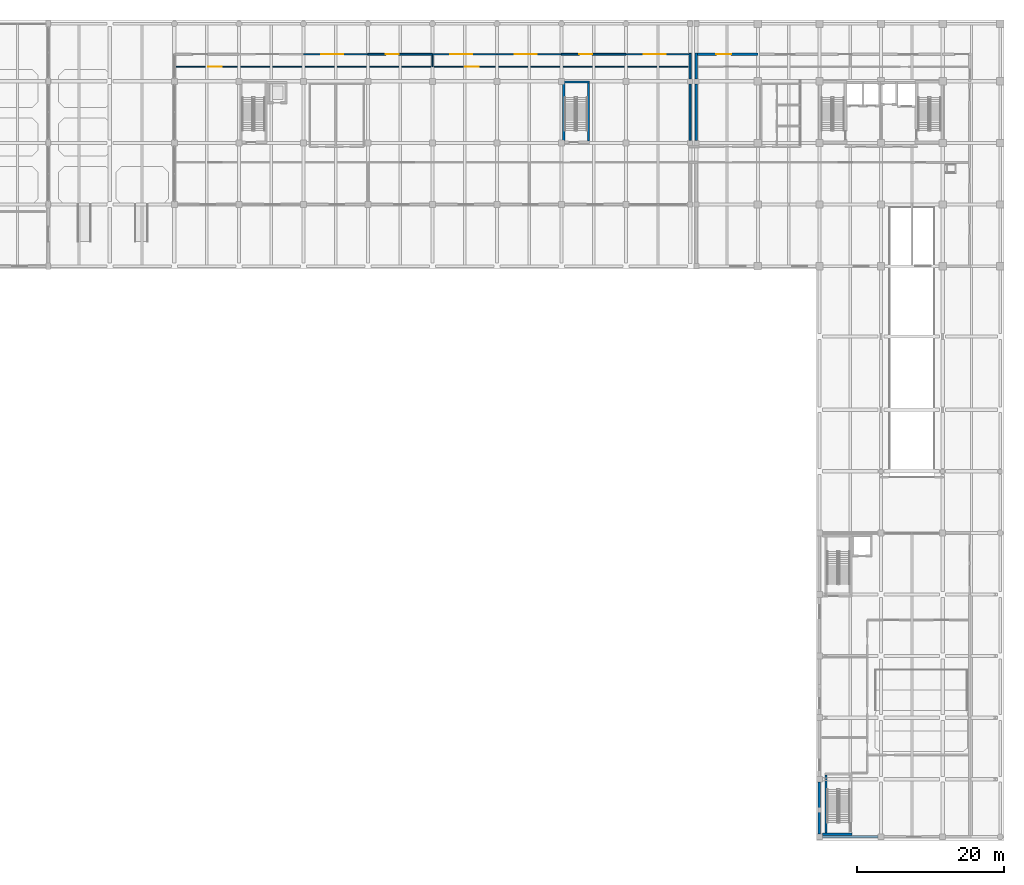
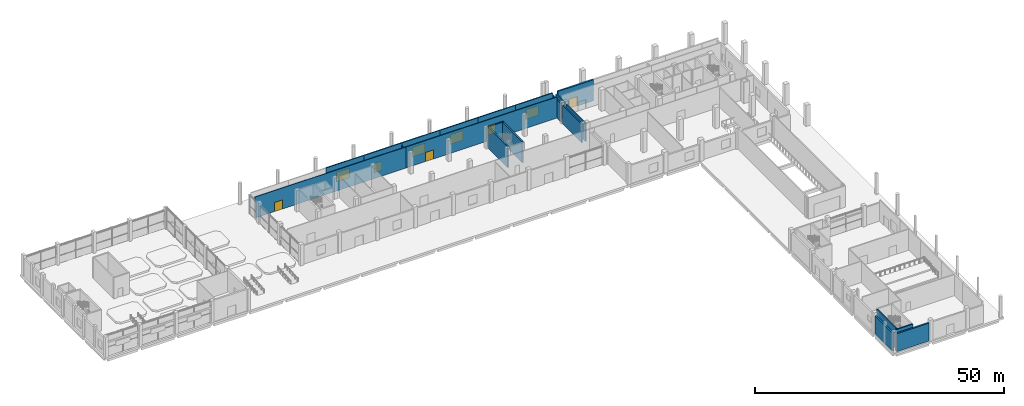
# One storey, part 22 of 34: 21 walls, 5 doors, 4 windows, 9 openings.
"""IFC4 building model written with IfcOpenShell, lengths in metres."""

from ifc_helpers import new_model, si_unit, direction, frame, frame_2d, origin, place, context, subcontext, project, spatial, rectangle, extrude, material, layer, layer_set, type_object, element, fill, save


model = new_model("IFC4")

# Units and contexts
model_context = context("Model", 3, precision=1e-05, world=origin(), true_north=direction((0.0, 1.0)))
body_context = subcontext(model_context, "Body", "Model", "MODEL_VIEW")
ifc_project = project(units=[si_unit("LENGTHUNIT", "METRE"), si_unit("AREAUNIT", "SQUARE_METRE"), si_unit("VOLUMEUNIT", "CUBIC_METRE"), si_unit("PLANEANGLEUNIT", "RADIAN"), si_unit("MASSUNIT", "GRAM", prefix="KILO")], contexts=[model_context])

# Site, building, storey
site_placement = place(None, origin())
site = spatial("IfcSite", under=ifc_project, at=site_placement, CompositionType="ELEMENT")
building_placement = place(site_placement, origin())
building = spatial("IfcBuilding", under=site, at=building_placement, Name="Brinegate Botanical Conservatory", CompositionType="ELEMENT")
storey_placement = place(building_placement, origin())
storey = spatial("IfcBuildingStorey", under=building, at=storey_placement, Name="L01", CompositionType="ELEMENT", Elevation=0.0)

# Wall, opening, window
ifc_material_1 = material(Name="Fujian grey granite ashlar masonry", Category="masonry")
ifc_layer_1 = layer(ifc_material_1, 0.239990234375, Name="Fujian grey granite ashlar masonry", Category="masonry")
ifc_layer_set_1 = layer_set([ifc_layer_1], Name="Fujian grey granite ashlar masonry")
wall_type_1 = type_object("IfcWallType", Name="Wall_EW-240A", PredefinedType="STANDARD", material=ifc_layer_set_1)
wall_1_placement = place(storey_placement, frame((68.39990234375, 107.300048828125, 0.0), z_axis=(0.0, 0.0, 1.0), x_axis=(1.0, 0.0, 0.0)))
wall_1 = element("IfcWall", 1, at=wall_1_placement, inside=storey, type_object=wall_type_1, Name="Visitor north qilou shopfront wall 3", PredefinedType="STANDARD", context=body_context, shape_type="SweptSolid", body=[
    extrude(rectangle(XDim=8.800048828125, YDim=0.239990234375, at=frame_2d((4.39990234375, 0.0))), origin(), (0.0, 0.0, 1.0), 5.179931640625),
])
opening_1_placement = place(wall_1_placement, frame((2.39990234375, 0.0, 0.800048828125)))
opening_1 = element("IfcOpeningElement", 2, at=opening_1_placement, cuts=wall_1, Name="Opening WN-15", PredefinedType="OPENING", context=body_context, shape_type="SweptSolid", body=[
    extrude(rectangle(XDim=3.0, YDim=2.39990234375, at=frame_2d((1.5, 1.199951171875))), frame((0.0, 0.1298828125, 0.0), z_axis=(0.0, -1.0, 0.0), x_axis=(1.0, 0.0, 0.0)), (0.0, 0.0, 1.0), 0.260009765625),
])
ifc_material_2 = material(Name="Thermally broken aluminium-framed Low-E glass", Category="aluminium")
window_type = type_object("IfcWindowType", Name="Win_WN-15", PartitioningType="TRIPLE_PANEL_VERTICAL", PredefinedType="WINDOW", material=ifc_material_2)
window_1_placement = place(opening_1_placement, origin())
window_1 = element("IfcWindow", 3, at=window_1_placement, inside=storey, type_object=window_type, Name="Visitor qilou shopfront window 3", OverallHeight=2.39990234375, OverallWidth=3.0, PartitioningType="TRIPLE_PANEL_VERTICAL", PredefinedType="WINDOW", context=body_context, shape_type="SweptSolid", body=[
    extrude(rectangle(XDim=3.0, YDim=2.39990234375, at=frame_2d((1.5, 1.199951171875))), frame((0.0, 0.030029296875, 0.0), z_axis=(0.0, -1.0, 0.0), x_axis=(1.0, 0.0, 0.0)), (0.0, 0.0, 1.0), 0.06005859375),
])
fill(opening_1, window_1)

# Wall, opening, door
wall_2_placement = place(storey_placement, frame((77.199951171875, 107.300048828125, 0.0), z_axis=(0.0, 0.0, 1.0), x_axis=(1.0, 0.0, 0.0)))
wall_2 = element("IfcWall", 4, at=wall_2_placement, inside=storey, type_object=wall_type_1, Name="Visitor north qilou shopfront wall 4", PredefinedType="STANDARD", context=body_context, shape_type="SweptSolid", body=[
    extrude(rectangle(XDim=8.800048828125, YDim=0.239990234375, at=frame_2d((4.39990234375, 0.0))), origin(), (0.0, 0.0, 1.0), 5.179931640625),
])
opening_2_placement = place(wall_2_placement, frame((2.39990234375, 0.0, 0.0)))
opening_2 = element("IfcOpeningElement", 5, at=opening_2_placement, cuts=wall_2, Name="Opening EX-02", PredefinedType="OPENING", context=body_context, shape_type="SweptSolid", body=[
    extrude(rectangle(XDim=1.800048828125, YDim=2.300048828125, at=frame_2d((0.89990234375, 1.14990234375))), frame((0.0, 0.1298828125, 0.0), z_axis=(0.0, -1.0, 0.0), x_axis=(1.0, 0.0, 0.0)), (0.0, 0.0, 1.0), 0.260009765625),
])
ifc_material_3 = material(Name="Anodised aluminium and laminated safety glass", Category="aluminium")
door_type_1 = type_object("IfcDoorType", Name="Door_EX-02", OperationType="NOTDEFINED", PredefinedType="DOOR", material=ifc_material_3)
door_1_placement = place(opening_2_placement, origin())
door_1 = element("IfcDoor", 6, at=door_1_placement, inside=storey, type_object=door_type_1, Name="DR-V3-L01-N4", OperationType="SINGLE_SWING_LEFT", OverallHeight=2.300048828125, OverallWidth=1.800048828125, PredefinedType="DOOR", context=body_context, shape_type="SweptSolid", body=[
    extrude(rectangle(XDim=1.800048828125, YDim=2.300048828125, at=frame_2d((0.89990234375, 1.14990234375))), frame((0.0, 0.02490234375, 0.0), z_axis=(0.0, -1.0, 0.0), x_axis=(1.0, 0.0, 0.0)), (0.0, 0.0, 1.0), 0.050048828125),
])
fill(opening_2, door_1)

# Wall, opening, window
wall_3_placement = place(storey_placement, frame((86.0, 107.300048828125, 0.0), z_axis=(0.0, 0.0, 1.0), x_axis=(1.0, 0.0, 0.0)))
wall_3 = element("IfcWall", 7, at=wall_3_placement, inside=storey, type_object=wall_type_1, Name="Visitor north qilou shopfront wall 5", PredefinedType="STANDARD", context=body_context, shape_type="SweptSolid", body=[
    extrude(rectangle(XDim=8.800048828125, YDim=0.239990234375, at=frame_2d((4.39990234375, 0.0))), origin(), (0.0, 0.0, 1.0), 5.179931640625),
])
opening_3_placement = place(wall_3_placement, frame((2.39990234375, 0.0, 0.800048828125)))
opening_3 = element("IfcOpeningElement", 8, at=opening_3_placement, cuts=wall_3, Name="Opening WN-15", PredefinedType="OPENING", context=body_context, shape_type="SweptSolid", body=[
    extrude(rectangle(XDim=3.0, YDim=2.39990234375, at=frame_2d((1.5, 1.199951171875))), frame((0.0, 0.1298828125, 0.0), z_axis=(0.0, -1.0, 0.0), x_axis=(1.0, 0.0, 0.0)), (0.0, 0.0, 1.0), 0.260009765625),
])
window_2_placement = place(opening_3_placement, origin())
window_2 = element("IfcWindow", 9, at=window_2_placement, inside=storey, type_object=window_type, Name="Visitor qilou shopfront window 5", OverallHeight=2.39990234375, OverallWidth=3.0, PartitioningType="TRIPLE_PANEL_VERTICAL", PredefinedType="WINDOW", context=body_context, shape_type="SweptSolid", body=[
    extrude(rectangle(XDim=3.0, YDim=2.39990234375, at=frame_2d((1.5, 1.199951171875))), frame((0.0, 0.030029296875, 0.0), z_axis=(0.0, -1.0, 0.0), x_axis=(1.0, 0.0, 0.0)), (0.0, 0.0, 1.0), 0.06005859375),
])
fill(opening_3, window_2)

wall_4_placement = place(storey_placement, frame((94.800048828125, 107.300048828125, 0.0), z_axis=(0.0, 0.0, 1.0), x_axis=(1.0, 0.0, 0.0)))
wall_4 = element("IfcWall", 10, at=wall_4_placement, inside=storey, type_object=wall_type_1, Name="Visitor north qilou shopfront wall 6", PredefinedType="STANDARD", context=body_context, shape_type="SweptSolid", body=[
    extrude(rectangle(XDim=8.800048828125, YDim=0.239990234375, at=frame_2d((4.39990234375, 0.0))), origin(), (0.0, 0.0, 1.0), 5.179931640625),
])
opening_4_placement = place(wall_4_placement, frame((2.39990234375, 0.0, 0.800048828125)))
opening_4 = element("IfcOpeningElement", 11, at=opening_4_placement, cuts=wall_4, Name="Opening WN-15", PredefinedType="OPENING", context=body_context, shape_type="SweptSolid", body=[
    extrude(rectangle(XDim=3.0, YDim=2.39990234375, at=frame_2d((1.5, 1.199951171875))), frame((0.0, 0.1298828125, 0.0), z_axis=(0.0, -1.0, 0.0), x_axis=(1.0, 0.0, 0.0)), (0.0, 0.0, 1.0), 0.260009765625),
])
window_3_placement = place(opening_4_placement, origin())
window_3 = element("IfcWindow", 12, at=window_3_placement, inside=storey, type_object=window_type, Name="Visitor qilou shopfront window 6", OverallHeight=2.39990234375, OverallWidth=3.0, PartitioningType="TRIPLE_PANEL_VERTICAL", PredefinedType="WINDOW", context=body_context, shape_type="SweptSolid", body=[
    extrude(rectangle(XDim=3.0, YDim=2.39990234375, at=frame_2d((1.5, 1.199951171875))), frame((0.0, 0.030029296875, 0.0), z_axis=(0.0, -1.0, 0.0), x_axis=(1.0, 0.0, 0.0)), (0.0, 0.0, 1.0), 0.06005859375),
])
fill(opening_4, window_3)

# Wall, opening, door
wall_5_placement = place(storey_placement, frame((103.60009765625, 107.300048828125, 0.0), z_axis=(0.0, 0.0, 1.0), x_axis=(1.0, 0.0, 0.0)))
wall_5 = element("IfcWall", 13, at=wall_5_placement, inside=storey, type_object=wall_type_1, Name="Visitor north qilou shopfront wall 7", PredefinedType="STANDARD", context=body_context, shape_type="SweptSolid", body=[
    extrude(rectangle(XDim=8.7998046875, YDim=0.239990234375, at=frame_2d((4.39990234375, 0.0))), origin(), (0.0, 0.0, 1.0), 5.179931640625),
])
opening_5_placement = place(wall_5_placement, frame((2.39990234375, 0.0, 0.0)))
opening_5 = element("IfcOpeningElement", 14, at=opening_5_placement, cuts=wall_5, Name="Opening EX-02", PredefinedType="OPENING", context=body_context, shape_type="SweptSolid", body=[
    extrude(rectangle(XDim=1.800048828125, YDim=2.300048828125, at=frame_2d((0.89990234375, 1.14990234375))), frame((0.0, 0.1298828125, 0.0), z_axis=(0.0, -1.0, 0.0), x_axis=(1.0, 0.0, 0.0)), (0.0, 0.0, 1.0), 0.260009765625),
])
door_2_placement = place(opening_5_placement, origin())
door_2 = element("IfcDoor", 15, at=door_2_placement, inside=storey, type_object=door_type_1, Name="DR-V3-L01-N7", OperationType="SINGLE_SWING_LEFT", OverallHeight=2.300048828125, OverallWidth=1.800048828125, PredefinedType="DOOR", context=body_context, shape_type="SweptSolid", body=[
    extrude(rectangle(XDim=1.800048828125, YDim=2.300048828125, at=frame_2d((0.89990234375, 1.14990234375))), frame((0.0, 0.02490234375, 0.0), z_axis=(0.0, -1.0, 0.0), x_axis=(1.0, 0.0, 0.0)), (0.0, 0.0, 1.0), 0.050048828125),
])
fill(opening_5, door_2)

# Wall, opening, window
wall_6_placement = place(storey_placement, frame((112.39990234375, 107.300048828125, 0.0), z_axis=(0.0, 0.0, 1.0), x_axis=(1.0, 0.0, 0.0)))
wall_6 = element("IfcWall", 16, at=wall_6_placement, inside=storey, type_object=wall_type_1, Name="Visitor north qilou shopfront wall 8", PredefinedType="STANDARD", context=body_context, shape_type="SweptSolid", body=[
    extrude(rectangle(XDim=8.6201171875, YDim=0.239990234375, at=frame_2d((4.31005859375, 0.0))), origin(), (0.0, 0.0, 1.0), 5.179931640625),
])
opening_6_placement = place(wall_6_placement, frame((2.39990234375, 0.0, 0.800048828125)))
opening_6 = element("IfcOpeningElement", 17, at=opening_6_placement, cuts=wall_6, Name="Opening WN-15", PredefinedType="OPENING", context=body_context, shape_type="SweptSolid", body=[
    extrude(rectangle(XDim=3.0, YDim=2.39990234375, at=frame_2d((1.5, 1.199951171875))), frame((0.0, 0.1298828125, 0.0), z_axis=(0.0, -1.0, 0.0), x_axis=(1.0, 0.0, 0.0)), (0.0, 0.0, 1.0), 0.260009765625),
])
window_4_placement = place(opening_6_placement, origin())
window_4 = element("IfcWindow", 18, at=window_4_placement, inside=storey, type_object=window_type, Name="Visitor qilou shopfront window 8", OverallHeight=2.39990234375, OverallWidth=3.0, PartitioningType="TRIPLE_PANEL_VERTICAL", PredefinedType="WINDOW", context=body_context, shape_type="SweptSolid", body=[
    extrude(rectangle(XDim=3.0, YDim=2.39990234375, at=frame_2d((1.5, 1.199951171875))), frame((0.0, 0.030029296875, 0.0), z_axis=(0.0, -1.0, 0.0), x_axis=(1.0, 0.0, 0.0)), (0.0, 0.0, 1.0), 0.06005859375),
])
fill(opening_6, window_4)

# Walls
ifc_material_4 = material(Name="Precast concrete C40/50 architectural panel", Category="concrete")
ifc_layer_2 = layer(ifc_material_4, 0.260009765625, Name="Precast concrete C40/50 architectural panel", Category="concrete")
ifc_layer_set_2 = layer_set([ifc_layer_2], Name="Precast concrete C40/50 architectural panel")
wall_type_2 = type_object("IfcWallType", Name="Wall_EW-260P", PredefinedType="STANDARD", material=ifc_layer_set_2)
wall_7_placement = place(storey_placement, frame((121.14990234375, 103.25, 0.0), z_axis=(0.0, 0.0, 1.0), x_axis=(0.0, -1.0, 0.0)))
element("IfcWall", 19, at=wall_7_placement, inside=storey, type_object=wall_type_2, Name="Visitor east seismic-joint closure wall L01.3", PredefinedType="STANDARD", context=body_context, shape_type="SweptSolid", body=[
    extrude(rectangle(XDim=7.699951171875, YDim=0.260009765625, at=frame_2d((3.85009765625, 0.0))), origin(), (0.0, 0.0, 1.0), 4.530029296875),
])
wall_8_placement = place(storey_placement, frame((121.14990234375, 107.419921875, 0.0), z_axis=(0.0, 0.0, 1.0), x_axis=(0.0, -1.0, 0.0)))
element("IfcWall", 20, at=wall_8_placement, inside=storey, type_object=wall_type_2, Name="Visitor east seismic-joint closure wall L01.4", PredefinedType="STANDARD", context=body_context, shape_type="SweptSolid", body=[
    extrude(rectangle(XDim=3.469970703125, YDim=0.260009765625, at=frame_2d((1.73486328125, 0.0))), origin(), (0.0, 0.0, 1.0), 4.530029296875),
])
ifc_material_5 = material(Name="Insulated Minnan red clay brick masonry", Category="masonry")
ifc_layer_3 = layer(ifc_material_5, 0.300048828125, Name="Insulated Minnan red clay brick masonry", Category="masonry")
ifc_layer_set_3 = layer_set([ifc_layer_3], Name="Insulated Minnan red clay brick masonry")
wall_type_3 = type_object("IfcWallType", Name="Wall_EW-300B", PredefinedType="STANDARD", material=ifc_layer_set_3)
wall_9_placement = place(storey_placement, frame((122.0, 95.550048828125, 0.0), z_axis=(0.0, 0.0, 1.0), x_axis=(0.0, 1.0, 0.0)))
element("IfcWall", 21, at=wall_9_placement, inside=storey, type_object=wall_type_3, Name="Tower mid-west wall L01", PredefinedType="STANDARD", context=body_context, shape_type="SweptSolid", body=[
    extrude(rectangle(XDim=7.699951171875, YDim=0.300048828125, at=frame_2d((3.85009765625, 0.0))), origin(), (0.0, 0.0, 1.0), 4.429931640625),
])
wall_10_placement = place(storey_placement, frame((122.0, 103.949951171875, 0.0), z_axis=(0.0, 0.0, 1.0), x_axis=(0.0, 1.0, 0.0)))
element("IfcWall", 22, at=wall_10_placement, inside=storey, type_object=wall_type_3, Name="Tower ground north-west seismic-joint wall", PredefinedType="STANDARD", context=body_context, shape_type="SweptSolid", body=[
    extrude(rectangle(XDim=3.5400390625, YDim=0.300048828125, at=frame_2d((1.77001953125, 0.0))), origin(), (0.0, 0.0, 1.0), 4.429931640625),
])
ifc_layer_4 = layer(ifc_material_5, 0.340087890625, Name="Insulated Minnan red clay brick masonry", Category="masonry")
ifc_layer_set_4 = layer_set([ifc_layer_4], Name="Insulated Minnan red clay brick masonry")
wall_type_4 = type_object("IfcWallType", Name="Wall_EW-340B", PredefinedType="STANDARD", material=ifc_layer_set_4)
wall_11_placement = place(storey_placement, frame((138.800048828125, 0.949951171875, 0.0), z_axis=(0.0, 0.0, 1.0), x_axis=(0.0, 1.0, 0.0)))
element("IfcWall", 23, at=wall_11_placement, inside=storey, type_object=wall_type_4, Name="Auditorium west red-brick wall L01.1", PredefinedType="STANDARD", context=body_context, shape_type="SweptSolid", body=[
    extrude(rectangle(XDim=7.050048828125, YDim=0.340087890625, at=frame_2d((3.52490234375, 0.0))), origin(), (0.0, 0.0, 1.0), 4.429931640625),
])
wall_12_placement = place(storey_placement, frame((146.800048828125, 0.550048828125, 0.0), z_axis=(0.0, 0.0, 1.0), x_axis=(-1.0, 0.0, 0.0)))
element("IfcWall", 24, at=wall_12_placement, inside=storey, type_object=wall_type_4, Name="Auditorium south wall L01.1", PredefinedType="STANDARD", context=body_context, shape_type="SweptSolid", body=[
    extrude(rectangle(XDim=7.60009765625, YDim=0.340087890625, at=frame_2d((3.800048828125, 0.0))), origin(), (0.0, 0.0, 1.0), 4.429931640625),
])

# Wall, opening, door
ifc_layer_5 = layer(ifc_material_1, 0.3798828125, Name="Fujian grey granite ashlar masonry", Category="masonry")
ifc_layer_set_5 = layer_set([ifc_layer_5], Name="Fujian grey granite ashlar masonry")
wall_type_5 = type_object("IfcWallType", Name="Wall_EW-380G", PredefinedType="SOLIDWALL", material=ifc_layer_set_5)
wall_13_placement = place(storey_placement, frame((122.14990234375, 107.300048828125, 0.0), z_axis=(0.0, 0.0, 1.0), x_axis=(1.0, 0.0, 0.0)))
wall_13 = element("IfcWall", 25, at=wall_13_placement, inside=storey, type_object=wall_type_5, Name="Tower ground north qilou wall 1", PredefinedType="SOLIDWALL", context=body_context, shape_type="SweptSolid", body=[
    extrude(rectangle(XDim=8.25, YDim=0.3798828125, at=frame_2d((4.125, 0.0))), origin(), (0.0, 0.0, 1.0), 5.179931640625),
])
opening_7_placement = place(wall_13_placement, frame((2.60009765625, 0.0, 0.0)))
opening_7 = element("IfcOpeningElement", 26, at=opening_7_placement, cuts=wall_13, Name="Opening EX-01", PredefinedType="OPENING", context=body_context, shape_type="SweptSolid", body=[
    extrude(rectangle(XDim=2.0, YDim=2.39990234375, at=frame_2d((1.0, 1.199951171875))), frame((0.0, 0.199951171875, 0.0), z_axis=(0.0, -1.0, 0.0), x_axis=(1.0, 0.0, 0.0)), (0.0, 0.0, 1.0), 0.39990234375),
])
door_type_2 = type_object("IfcDoorType", Name="Door_EX-01", OperationType="NOTDEFINED", PredefinedType="DOOR", material=ifc_material_3)
door_3_placement = place(opening_7_placement, origin())
door_3 = element("IfcDoor", 27, at=door_3_placement, inside=storey, type_object=door_type_2, Name="DR-V4-L01-N1", OperationType="SINGLE_SWING_LEFT", OverallHeight=2.39990234375, OverallWidth=2.0, PredefinedType="DOOR", context=body_context, shape_type="SweptSolid", body=[
    extrude(rectangle(XDim=2.0, YDim=2.39990234375, at=frame_2d((1.0, 1.199951171875))), frame((0.0, 0.02490234375, 0.0), z_axis=(0.0, -1.0, 0.0), x_axis=(1.0, 0.0, 0.0)), (0.0, 0.0, 1.0), 0.050048828125),
])
fill(opening_7, door_3)

ifc_material_6 = material(Name="Gypsum-clad acoustic steel-stud partition", Category="steel")
ifc_layer_6 = layer(ifc_material_6, 0.14501953125, Name="Gypsum-clad acoustic steel-stud partition", Category="steel")
ifc_layer_set_6 = layer_set([ifc_layer_6], Name="Gypsum-clad acoustic steel-stud partition")
wall_type_6 = type_object("IfcWallType", Name="Wall_PW-150", PredefinedType="PARTITIONING", material=ifc_layer_set_6)
wall_14_placement = place(storey_placement, frame((50.919921875, 105.60009765625, 0.0), z_axis=(0.0, 0.0, 1.0), x_axis=(1.0, 0.0, 0.0)))
wall_14 = element("IfcWall", 28, at=wall_14_placement, inside=storey, type_object=wall_type_6, Name="Interior partition P-L01-V3-TICK", PredefinedType="PARTITIONING", context=body_context, shape_type="SweptSolid", body=[
    extrude(rectangle(XDim=35.080078125, YDim=0.14501953125, at=frame_2d((17.5400390625, 0.0))), origin(), (0.0, 0.0, 1.0), 5.179931640625),
])
opening_8_placement = place(wall_14_placement, frame((4.5, 0.0, 0.0)))
opening_8 = element("IfcOpeningElement", 29, at=opening_8_placement, cuts=wall_14, Name="Opening DR-DBL1", PredefinedType="OPENING", context=body_context, shape_type="SweptSolid", body=[
    extrude(rectangle(XDim=1.85009765625, YDim=2.25, at=frame_2d((0.925048828125, 1.125))), frame((0.0, 0.08251953125, 0.0), z_axis=(0.0, -1.0, 0.0), x_axis=(1.0, 0.0, 0.0)), (0.0, 0.0, 1.0), 0.1650390625),
])
ifc_material_7 = material(Name="Anodised aluminium and safety glass", Category="aluminium")
door_type_3 = type_object("IfcDoorType", Name="Door_DR-DBL1", OperationType="NOTDEFINED", PredefinedType="DOOR", material=ifc_material_7)
door_4_placement = place(opening_8_placement, origin())
door_4 = element("IfcDoor", 30, at=door_4_placement, inside=storey, type_object=door_type_3, Name="DR-P-L01-V3-TICK-1", OperationType="SINGLE_SWING_RIGHT", OverallHeight=2.25, OverallWidth=1.85009765625, PredefinedType="DOOR", context=body_context, shape_type="SweptSolid", body=[
    extrude(rectangle(XDim=1.85009765625, YDim=2.25, at=frame_2d((0.925048828125, 1.125))), frame((0.0, 0.02490234375, 0.0), z_axis=(0.0, -1.0, 0.0), x_axis=(1.0, 0.0, 0.0)), (0.0, 0.0, 1.0), 0.050048828125),
])
fill(opening_8, door_4)

wall_15_placement = place(storey_placement, frame((86.0, 105.60009765625, 0.0), z_axis=(0.0, 0.0, 1.0), x_axis=(1.0, 0.0, 0.0)))
wall_15 = element("IfcWall", 31, at=wall_15_placement, inside=storey, type_object=wall_type_6, Name="Interior partition P-L01-V3-EXH0", PredefinedType="PARTITIONING", context=body_context, shape_type="SweptSolid", body=[
    extrude(rectangle(XDim=35.02001953125, YDim=0.14501953125, at=frame_2d((17.510009765625, 0.0))), origin(), (0.0, 0.0, 1.0), 5.179931640625),
])
opening_9_placement = place(wall_15_placement, frame((4.5, 0.0, 0.0)))
opening_9 = element("IfcOpeningElement", 32, at=opening_9_placement, cuts=wall_15, Name="Opening DR-DBL1", PredefinedType="OPENING", context=body_context, shape_type="SweptSolid", body=[
    extrude(rectangle(XDim=1.85009765625, YDim=2.25, at=frame_2d((0.925048828125, 1.125))), frame((0.0, 0.08251953125, 0.0), z_axis=(0.0, -1.0, 0.0), x_axis=(1.0, 0.0, 0.0)), (0.0, 0.0, 1.0), 0.1650390625),
])
door_5_placement = place(opening_9_placement, origin())
door_5 = element("IfcDoor", 33, at=door_5_placement, inside=storey, type_object=door_type_3, Name="DR-P-L01-V3-EXH0-1", OperationType="SINGLE_SWING_RIGHT", OverallHeight=2.25, OverallWidth=1.85009765625, PredefinedType="DOOR", context=body_context, shape_type="SweptSolid", body=[
    extrude(rectangle(XDim=1.85009765625, YDim=2.25, at=frame_2d((0.925048828125, 1.125))), frame((0.0, 0.02490234375, 0.0), z_axis=(0.0, -1.0, 0.0), x_axis=(1.0, 0.0, 0.0)), (0.0, 0.0, 1.0), 0.050048828125),
])
fill(opening_9, door_5)

# Walls
ifc_material_8 = material(Name="Gypsum-clad double-stud acoustic partition", Category="gypsum")
ifc_layer_7 = layer(ifc_material_8, 0.172119140625, Name="Gypsum-clad double-stud acoustic partition", Category="gypsum")
ifc_layer_set_7 = layer_set([ifc_layer_7], Name="Gypsum-clad double-stud acoustic partition")
wall_type_7 = type_object("IfcWallType", Name="Wall_PW-172", PredefinedType="PARTITIONING", material=ifc_layer_set_7)
wall_16_placement = place(storey_placement, frame((86.0, 105.60009765625, 0.0), z_axis=(0.0, 0.0, 1.0), x_axis=(0.0, 1.0, 0.0)))
element("IfcWall", 34, at=wall_16_placement, inside=storey, type_object=wall_type_7, Name="Interior partition P-L01-VND-V3-EXH0", PredefinedType="PARTITIONING", context=body_context, shape_type="SweptSolid", body=[
    extrude(rectangle(XDim=1.579833984375, YDim=0.172119140625, at=frame_2d((0.7900390625, 0.0))), origin(), (0.0, 0.0, 1.0), 4.530029296875),
])
ifc_material_9 = material(Name="Concrete C40/50", Category="concrete")
ifc_layer_8 = layer(ifc_material_9, 0.300048828125, Name="Concrete C40/50", Category="concrete")
ifc_layer_set_8 = layer_set([ifc_layer_8], Name="Concrete C40/50")
wall_type_8 = type_object("IfcWallType", Name="Wall_SW-300", PredefinedType="SHEAR", material=ifc_layer_set_8)
wall_17_placement = place(storey_placement, frame((103.75, 103.5, 0.0), z_axis=(0.0, 0.0, 1.0), x_axis=(1.0, 0.0, 0.0)))
element("IfcWall", 35, at=wall_17_placement, inside=storey, type_object=wall_type_8, Name="Stairwell ST4 shear wall L01 N", PredefinedType="SHEAR", context=body_context, shape_type="SweptSolid", body=[
    extrude(rectangle(XDim=3.699951171875, YDim=0.300048828125, at=frame_2d((1.85009765625, 0.0))), origin(), (0.0, 0.0, 1.0), 5.179931640625),
])
for number, where, z_axis, x_axis, name in (
    (36, (103.89990234375, 95.449951171875, 0.0), (0.0, 0.0, 1.0), (0.0, 1.0, 0.0), "Stairwell ST4 shear wall L01 W"),
    (37, (107.300048828125, 95.449951171875, 0.0), (0.0, 0.0, 1.0), (0.0, 1.0, 0.0), "Stairwell ST4 shear wall L01 E"),
):
    element("IfcWall", number, at=place(storey_placement, frame(where, z_axis=z_axis, x_axis=x_axis)), inside=storey, type_object=wall_type_8, Name=name, PredefinedType="SHEAR", context=body_context, shape_type="SweptSolid", body=[
        extrude(rectangle(XDim=7.900146484375, YDim=0.300048828125, at=frame_2d((3.9501953125, 0.0))), origin(), (0.0, 0.0, 1.0), 5.179931640625),
    ])
wall_18_placement = place(storey_placement, frame((139.199951171875, 0.89990234375, 0.0), z_axis=(0.0, 0.0, 1.0), x_axis=(1.0, 0.0, 0.0)))
element("IfcWall", 38, at=wall_18_placement, inside=storey, type_object=wall_type_8, Name="Stairwell ST6 shear wall L01 S", PredefinedType="SHEAR", context=body_context, shape_type="SweptSolid", body=[
    extrude(rectangle(XDim=4.050048828125, YDim=0.300048828125, at=frame_2d((2.02490234375, 0.0))), origin(), (0.0, 0.0, 1.0), 5.179931640625),
])
wall_19_placement = place(storey_placement, frame((139.699951171875, 1.050048828125, 0.0), z_axis=(0.0, 0.0, 1.0), x_axis=(0.0, 1.0, 0.0)))
element("IfcWall", 39, at=wall_19_placement, inside=storey, type_object=wall_type_8, Name="Stairwell ST6 shear wall L01 W", PredefinedType="SHEAR", context=body_context, shape_type="SweptSolid", body=[
    extrude(rectangle(XDim=7.89990234375, YDim=0.300048828125, at=frame_2d((3.949951171875, 0.0))), origin(), (0.0, 0.0, 1.0), 5.179931640625),
])

save(model, "model.ifc")
